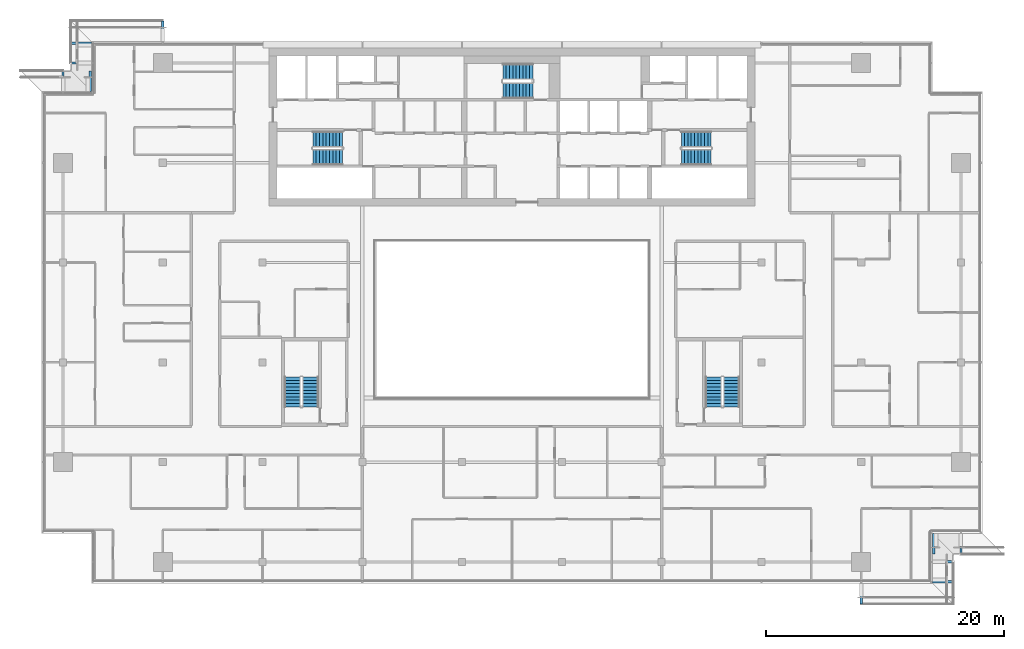
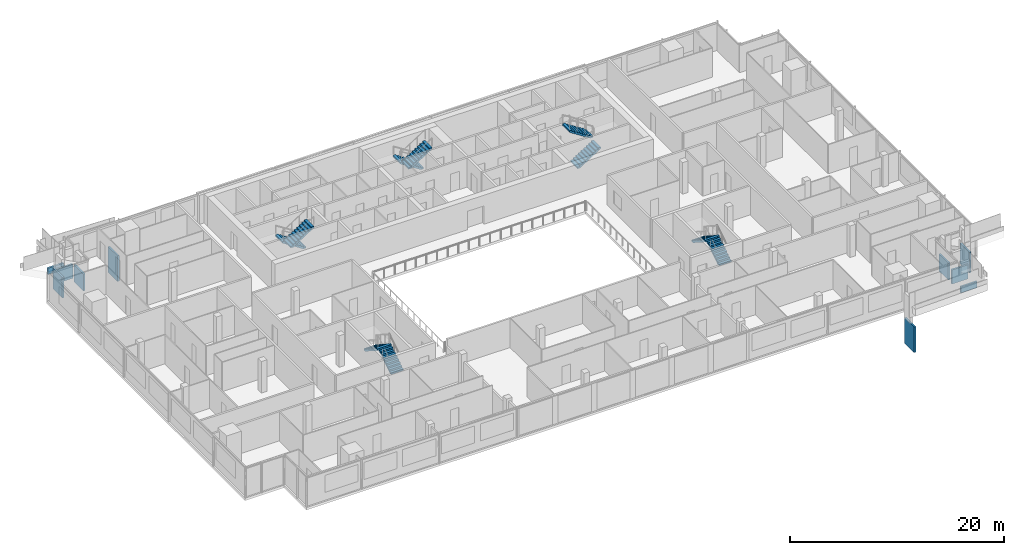
# One storey, part 25 of 30: 10 discrete accessories, 10 stair flights, 5 elements without a shape of their own.
"""IFC4 building model written with IfcOpenShell, lengths in metres."""

from ifc_helpers import new_model, si_unit, direction, frame, origin, origin_2d, place, context, subcontext, project, spatial, polyline, rectangle, outline, extrude, material, type_object, element, aggregate, save


model = new_model("IFC4")

# Units and contexts
model_context = context("Model", 3, precision=1e-05, world=origin(), true_north=direction((0.0, 1.0)))
body_context = subcontext(model_context, "Body", "Model", "MODEL_VIEW")
ifc_project = project(units=[si_unit("LENGTHUNIT", "METRE"), si_unit("AREAUNIT", "SQUARE_METRE"), si_unit("VOLUMEUNIT", "CUBIC_METRE"), si_unit("PLANEANGLEUNIT", "RADIAN"), si_unit("MASSUNIT", "GRAM", prefix="KILO")], contexts=[model_context])

# Site, building, storey
site_placement = place(None, origin())
site = spatial("IfcSite", under=ifc_project, at=site_placement, CompositionType="ELEMENT")
building_placement = place(site_placement, origin())
building = spatial("IfcBuilding", under=site, at=building_placement, Name="Saffron Gate Tower", CompositionType="ELEMENT")
storey_placement = place(building_placement, frame((0.0, 0.0, 237.89990234375)))
storey = spatial("IfcBuildingStorey", under=building, at=storey_placement, Name="L58", CompositionType="ELEMENT", Elevation=237.89990234375)

# Stair, stair flights
ifc_material = material(Name="Concrete C40", Category="concrete")
stair_type = type_object("IfcStairType", Name="ST7 Stair 1350 wide, 20 risers of 180", PredefinedType="HALF_TURN_STAIR", material=ifc_material)
stair_1_placement = place(storey_placement, origin())
stair_1 = element("IfcStair", 1, at=stair_1_placement, inside=storey, type_object=stair_type, Name="L58 Exit stair A", PredefinedType="HALF_TURN_STAIR")
stair_flight_type = type_object("IfcStairFlightType", Name="SF3 Stair flight 1350 wide, riser 180 going 280", PredefinedType="STRAIGHT", material=ifc_material)
stair_flight_1_placement = place(storey_placement, frame((73.35009765625, 67.375, 0.0), z_axis=(0.0, 0.0, 1.0), x_axis=(-1.0, 0.0, 0.0)))
stair_flight_1 = element("IfcStairFlight", 2, at=stair_flight_1_placement, type_object=stair_flight_type, Name="ST-A flight 1", NumberOfRisers=10, NumberOfTreads=9, PredefinedType="STRAIGHT", RiserHeight=0.18, TreadLength=0.28, context=body_context, shape_type="SweptSolid", body=[
    extrude(outline(polyline([(0.0, 0.0), (0.0, 0.179931640625), (0.280029296875, 0.179931640625), (0.280029296875, 0.360107421875), (0.56005859375, 0.360107421875), (0.56005859375, 0.5400390625), (0.840087890625, 0.5400390625), (0.840087890625, 0.719970703125), (1.1201171875, 0.719970703125), (1.1201171875, 0.89990234375), (1.39990234375, 0.89990234375), (1.39990234375, 1.080078125), (1.679931640625, 1.080078125), (1.679931640625, 1.260009765625), (1.9599609375, 1.260009765625), (1.9599609375, 1.43994140625), (2.239990234375, 1.43994140625), (2.239990234375, 1.6201171875), (2.52001953125, 1.6201171875), (2.52001953125, 1.800048828125), (2.52001953125, 1.44189453125), (0.277099609375, 0.0), (0.0, 0.0)])), frame((0.0, 0.675048828125, 0.0), z_axis=(0.0, -1.0, 0.0), x_axis=(1.0, 0.0, 0.0)), (0.0, 0.0, 1.0), 1.35009765625),
])
stair_flight_2_placement = place(storey_placement, frame((70.830078125, 65.875, 1.800048828125), z_axis=(0.0, 0.0, 1.0), x_axis=(1.0, 0.0, 0.0)))
stair_flight_2 = element("IfcStairFlight", 3, at=stair_flight_2_placement, type_object=stair_flight_type, Name="ST-A flight 2", NumberOfRisers=10, NumberOfTreads=9, PredefinedType="STRAIGHT", RiserHeight=0.18, TreadLength=0.28, context=body_context, shape_type="SweptSolid", body=[
    extrude(outline(polyline([(0.0, 0.0), (0.0, 0.179931640625), (0.280029296875, 0.179931640625), (0.280029296875, 0.360107421875), (0.56005859375, 0.360107421875), (0.56005859375, 0.5400390625), (0.840087890625, 0.5400390625), (0.840087890625, 0.719970703125), (1.1201171875, 0.719970703125), (1.1201171875, 0.89990234375), (1.39990234375, 0.89990234375), (1.39990234375, 1.080078125), (1.679931640625, 1.080078125), (1.679931640625, 1.260009765625), (1.9599609375, 1.260009765625), (1.9599609375, 1.43994140625), (2.239990234375, 1.43994140625), (2.239990234375, 1.6201171875), (2.52001953125, 1.6201171875), (2.52001953125, 1.800048828125), (2.52001953125, 1.44189453125), (0.277099609375, 0.0), (0.0, 0.0)])), frame((0.0, 0.675048828125, 0.0), z_axis=(0.0, -1.0, 0.0), x_axis=(1.0, 0.0, 0.0)), (0.0, 0.0, 1.0), 1.35009765625),
])
aggregate(stair_1, [stair_flight_1, stair_flight_2])

stair_2_placement = place(storey_placement, origin())
stair_2 = element("IfcStair", 4, at=stair_2_placement, inside=storey, type_object=stair_type, Name="L58 Exit stair B", PredefinedType="HALF_TURN_STAIR")
stair_flight_3_placement = place(storey_placement, frame((101.85009765625, 65.875, 0.0), z_axis=(0.0, 0.0, 1.0), x_axis=(1.0, 0.0, 0.0)))
stair_flight_3 = element("IfcStairFlight", 5, at=stair_flight_3_placement, type_object=stair_flight_type, Name="ST-B flight 1", NumberOfRisers=10, NumberOfTreads=9, PredefinedType="STRAIGHT", RiserHeight=0.18, TreadLength=0.28, context=body_context, shape_type="SweptSolid", body=[
    extrude(outline(polyline([(0.0, 0.0), (0.0, 0.179931640625), (0.280029296875, 0.179931640625), (0.280029296875, 0.360107421875), (0.56005859375, 0.360107421875), (0.56005859375, 0.5400390625), (0.840087890625, 0.5400390625), (0.840087890625, 0.719970703125), (1.1201171875, 0.719970703125), (1.1201171875, 0.89990234375), (1.39990234375, 0.89990234375), (1.39990234375, 1.080078125), (1.679931640625, 1.080078125), (1.679931640625, 1.260009765625), (1.9599609375, 1.260009765625), (1.9599609375, 1.43994140625), (2.239990234375, 1.43994140625), (2.239990234375, 1.6201171875), (2.52001953125, 1.6201171875), (2.52001953125, 1.800048828125), (2.52001953125, 1.44189453125), (0.277099609375, 0.0), (0.0, 0.0)])), frame((0.0, 0.675048828125, 0.0), z_axis=(0.0, -1.0, 0.0), x_axis=(1.0, 0.0, 0.0)), (0.0, 0.0, 1.0), 1.35009765625),
])
stair_flight_4_placement = place(storey_placement, frame((104.3701171875, 67.375, 1.800048828125), z_axis=(0.0, 0.0, 1.0), x_axis=(-1.0, 0.0, 0.0)))
stair_flight_4 = element("IfcStairFlight", 6, at=stair_flight_4_placement, type_object=stair_flight_type, Name="ST-B flight 2", NumberOfRisers=10, NumberOfTreads=9, PredefinedType="STRAIGHT", RiserHeight=0.18, TreadLength=0.28, context=body_context, shape_type="SweptSolid", body=[
    extrude(outline(polyline([(0.0, 0.0), (0.0, 0.179931640625), (0.280029296875, 0.179931640625), (0.280029296875, 0.360107421875), (0.56005859375, 0.360107421875), (0.56005859375, 0.5400390625), (0.840087890625, 0.5400390625), (0.840087890625, 0.719970703125), (1.1201171875, 0.719970703125), (1.1201171875, 0.89990234375), (1.39990234375, 0.89990234375), (1.39990234375, 1.080078125), (1.679931640625, 1.080078125), (1.679931640625, 1.260009765625), (1.9599609375, 1.260009765625), (1.9599609375, 1.43994140625), (2.239990234375, 1.43994140625), (2.239990234375, 1.6201171875), (2.52001953125, 1.6201171875), (2.52001953125, 1.800048828125), (2.52001953125, 1.44189453125), (0.277099609375, 0.0), (0.0, 0.0)])), frame((0.0, 0.675048828125, 0.0), z_axis=(0.0, -1.0, 0.0), x_axis=(1.0, 0.0, 0.0)), (0.0, 0.0, 1.0), 1.35009765625),
])
aggregate(stair_2, [stair_flight_3, stair_flight_4])

stair_3_placement = place(storey_placement, origin())
stair_3 = element("IfcStair", 7, at=stair_3_placement, inside=storey, type_object=stair_type, Name="L58 Exit stair C", PredefinedType="HALF_TURN_STAIR")
stair_flight_5_placement = place(storey_placement, frame((89.35009765625, 73.074951171875, 0.0), z_axis=(0.0, 0.0, 1.0), x_axis=(-1.0, 0.0, 0.0)))
stair_flight_5 = element("IfcStairFlight", 8, at=stair_flight_5_placement, type_object=stair_flight_type, Name="ST-C flight 1", NumberOfRisers=10, NumberOfTreads=9, PredefinedType="STRAIGHT", RiserHeight=0.18, TreadLength=0.28, context=body_context, shape_type="SweptSolid", body=[
    extrude(outline(polyline([(0.0, 0.0), (0.0, 0.179931640625), (0.280029296875, 0.179931640625), (0.280029296875, 0.360107421875), (0.56005859375, 0.360107421875), (0.56005859375, 0.5400390625), (0.840087890625, 0.5400390625), (0.840087890625, 0.719970703125), (1.1201171875, 0.719970703125), (1.1201171875, 0.89990234375), (1.39990234375, 0.89990234375), (1.39990234375, 1.080078125), (1.679931640625, 1.080078125), (1.679931640625, 1.260009765625), (1.9599609375, 1.260009765625), (1.9599609375, 1.43994140625), (2.239990234375, 1.43994140625), (2.239990234375, 1.6201171875), (2.52001953125, 1.6201171875), (2.52001953125, 1.800048828125), (2.52001953125, 1.44189453125), (0.277099609375, 0.0), (0.0, 0.0)])), frame((0.0, 0.675048828125, 0.0), z_axis=(0.0, -1.0, 0.0), x_axis=(1.0, 0.0, 0.0)), (0.0, 0.0, 1.0), 1.35009765625),
])
stair_flight_6_placement = place(storey_placement, frame((86.830078125, 71.47509765625, 1.800048828125), z_axis=(0.0, 0.0, 1.0), x_axis=(1.0, 0.0, 0.0)))
stair_flight_6 = element("IfcStairFlight", 9, at=stair_flight_6_placement, type_object=stair_flight_type, Name="ST-C flight 2", NumberOfRisers=10, NumberOfTreads=9, PredefinedType="STRAIGHT", RiserHeight=0.18, TreadLength=0.28, context=body_context, shape_type="SweptSolid", body=[
    extrude(outline(polyline([(0.0, 0.0), (0.0, 0.179931640625), (0.280029296875, 0.179931640625), (0.280029296875, 0.360107421875), (0.56005859375, 0.360107421875), (0.56005859375, 0.5400390625), (0.840087890625, 0.5400390625), (0.840087890625, 0.719970703125), (1.1201171875, 0.719970703125), (1.1201171875, 0.89990234375), (1.39990234375, 0.89990234375), (1.39990234375, 1.080078125), (1.679931640625, 1.080078125), (1.679931640625, 1.260009765625), (1.9599609375, 1.260009765625), (1.9599609375, 1.43994140625), (2.239990234375, 1.43994140625), (2.239990234375, 1.6201171875), (2.52001953125, 1.6201171875), (2.52001953125, 1.800048828125), (2.52001953125, 1.44189453125), (0.277099609375, 0.0), (0.0, 0.0)])), frame((0.0, 0.675048828125, 0.0), z_axis=(0.0, -1.0, 0.0), x_axis=(1.0, 0.0, 0.0)), (0.0, 0.0, 1.0), 1.35009765625),
])
aggregate(stair_3, [stair_flight_5, stair_flight_6])

stair_4_placement = place(storey_placement, origin())
stair_4 = element("IfcStair", 10, at=stair_4_placement, inside=storey, type_object=stair_type, Name="L58 Exit stair D", PredefinedType="HALF_TURN_STAIR")
stair_flight_7_placement = place(storey_placement, frame((70.625, 44.85009765625, 0.0), z_axis=(0.0, 0.0, 1.0), x_axis=(0.0, 1.0, 0.0)))
stair_flight_7 = element("IfcStairFlight", 11, at=stair_flight_7_placement, type_object=stair_flight_type, Name="ST-D flight 1", NumberOfRisers=10, NumberOfTreads=9, PredefinedType="STRAIGHT", RiserHeight=0.18, TreadLength=0.28, context=body_context, shape_type="SweptSolid", body=[
    extrude(outline(polyline([(0.0, 0.0), (0.0, 0.179931640625), (0.280029296875, 0.179931640625), (0.280029296875, 0.360107421875), (0.56005859375, 0.360107421875), (0.56005859375, 0.5400390625), (0.840087890625, 0.5400390625), (0.840087890625, 0.719970703125), (1.1201171875, 0.719970703125), (1.1201171875, 0.89990234375), (1.39990234375, 0.89990234375), (1.39990234375, 1.080078125), (1.679931640625, 1.080078125), (1.679931640625, 1.260009765625), (1.9599609375, 1.260009765625), (1.9599609375, 1.43994140625), (2.239990234375, 1.43994140625), (2.239990234375, 1.6201171875), (2.52001953125, 1.6201171875), (2.52001953125, 1.800048828125), (2.52001953125, 1.44189453125), (0.277099609375, 0.0), (0.0, 0.0)])), frame((0.0, 0.675048828125, 0.0), z_axis=(0.0, -1.0, 0.0), x_axis=(1.0, 0.0, 0.0)), (0.0, 0.0, 1.0), 1.35009765625),
])
stair_flight_8_placement = place(storey_placement, frame((69.125, 47.3701171875, 1.800048828125), z_axis=(0.0, 0.0, 1.0), x_axis=(0.0, -1.0, 0.0)))
stair_flight_8 = element("IfcStairFlight", 12, at=stair_flight_8_placement, type_object=stair_flight_type, Name="ST-D flight 2", NumberOfRisers=10, NumberOfTreads=9, PredefinedType="STRAIGHT", RiserHeight=0.18, TreadLength=0.28, context=body_context, shape_type="SweptSolid", body=[
    extrude(outline(polyline([(0.0, 0.0), (0.0, 0.179931640625), (0.280029296875, 0.179931640625), (0.280029296875, 0.360107421875), (0.56005859375, 0.360107421875), (0.56005859375, 0.5400390625), (0.840087890625, 0.5400390625), (0.840087890625, 0.719970703125), (1.1201171875, 0.719970703125), (1.1201171875, 0.89990234375), (1.39990234375, 0.89990234375), (1.39990234375, 1.080078125), (1.679931640625, 1.080078125), (1.679931640625, 1.260009765625), (1.9599609375, 1.260009765625), (1.9599609375, 1.43994140625), (2.239990234375, 1.43994140625), (2.239990234375, 1.6201171875), (2.52001953125, 1.6201171875), (2.52001953125, 1.800048828125), (2.52001953125, 1.44189453125), (0.277099609375, 0.0), (0.0, 0.0)])), frame((0.0, 0.675048828125, 0.0), z_axis=(0.0, -1.0, 0.0), x_axis=(1.0, 0.0, 0.0)), (0.0, 0.0, 1.0), 1.35009765625),
])
aggregate(stair_4, [stair_flight_7, stair_flight_8])

stair_5_placement = place(storey_placement, origin())
stair_5 = element("IfcStair", 13, at=stair_5_placement, inside=storey, type_object=stair_type, Name="L58 Exit stair E", PredefinedType="HALF_TURN_STAIR")
stair_flight_9_placement = place(storey_placement, frame((106.074951171875, 44.85009765625, 0.0), z_axis=(0.0, 0.0, 1.0), x_axis=(0.0, 1.0, 0.0)))
stair_flight_9 = element("IfcStairFlight", 14, at=stair_flight_9_placement, type_object=stair_flight_type, Name="ST-E flight 1", NumberOfRisers=10, NumberOfTreads=9, PredefinedType="STRAIGHT", RiserHeight=0.18, TreadLength=0.28, context=body_context, shape_type="SweptSolid", body=[
    extrude(outline(polyline([(0.0, 0.0), (0.0, 0.179931640625), (0.280029296875, 0.179931640625), (0.280029296875, 0.360107421875), (0.56005859375, 0.360107421875), (0.56005859375, 0.5400390625), (0.840087890625, 0.5400390625), (0.840087890625, 0.719970703125), (1.1201171875, 0.719970703125), (1.1201171875, 0.89990234375), (1.39990234375, 0.89990234375), (1.39990234375, 1.080078125), (1.679931640625, 1.080078125), (1.679931640625, 1.260009765625), (1.9599609375, 1.260009765625), (1.9599609375, 1.43994140625), (2.239990234375, 1.43994140625), (2.239990234375, 1.6201171875), (2.52001953125, 1.6201171875), (2.52001953125, 1.800048828125), (2.52001953125, 1.44189453125), (0.277099609375, 0.0), (0.0, 0.0)])), frame((0.0, 0.675048828125, 0.0), z_axis=(0.0, -1.0, 0.0), x_axis=(1.0, 0.0, 0.0)), (0.0, 0.0, 1.0), 1.35009765625),
])
stair_flight_10_placement = place(storey_placement, frame((104.574951171875, 47.3701171875, 1.800048828125), z_axis=(0.0, 0.0, 1.0), x_axis=(0.0, -1.0, 0.0)))
stair_flight_10 = element("IfcStairFlight", 15, at=stair_flight_10_placement, type_object=stair_flight_type, Name="ST-E flight 2", NumberOfRisers=10, NumberOfTreads=9, PredefinedType="STRAIGHT", RiserHeight=0.18, TreadLength=0.28, context=body_context, shape_type="SweptSolid", body=[
    extrude(outline(polyline([(0.0, 0.0), (0.0, 0.179931640625), (0.280029296875, 0.179931640625), (0.280029296875, 0.360107421875), (0.56005859375, 0.360107421875), (0.56005859375, 0.5400390625), (0.840087890625, 0.5400390625), (0.840087890625, 0.719970703125), (1.1201171875, 0.719970703125), (1.1201171875, 0.89990234375), (1.39990234375, 0.89990234375), (1.39990234375, 1.080078125), (1.679931640625, 1.080078125), (1.679931640625, 1.260009765625), (1.9599609375, 1.260009765625), (1.9599609375, 1.43994140625), (2.239990234375, 1.43994140625), (2.239990234375, 1.6201171875), (2.52001953125, 1.6201171875), (2.52001953125, 1.800048828125), (2.52001953125, 1.44189453125), (0.277099609375, 0.0), (0.0, 0.0)])), frame((0.0, 0.675048828125, 0.0), z_axis=(0.0, -1.0, 0.0), x_axis=(1.0, 0.0, 0.0)), (0.0, 0.0, 1.0), 1.35009765625),
])
aggregate(stair_5, [stair_flight_9, stair_flight_10])

# Discrete accessories
discrete_accessory_1_placement = place(storey_placement, frame((58.199951171875, 76.47509765625, -3.8798828125), z_axis=(0.0, 0.0, 1.0), x_axis=(-1.0, 0.0, 0.0)))
element("IfcDiscreteAccessory", 16, at=discrete_accessory_1_placement, inside=storey, Name="LEDGE rib", PredefinedType="BRACKET", context=body_context, shape_type="SweptSolid", body=[
    extrude(rectangle(XDim=0.199951171875, YDim=1.75, at=origin_2d()), origin(), (0.0, 0.0, 1.0), 2.935302734375),
])
discrete_accessory_2_placement = place(storey_placement, frame((51.324951171875, 75.47998046875, -0.280029296875), z_axis=(0.0, 0.0, 1.0), x_axis=(0.0, -1.0, 0.0)))
element("IfcDiscreteAccessory", 17, at=discrete_accessory_2_placement, inside=storey, Name="LEDGE rib", PredefinedType="BRACKET", context=body_context, shape_type="SweptSolid", body=[
    extrude(rectangle(XDim=0.199951171875, YDim=1.75, at=origin_2d()), origin(), (0.0, 0.0, 1.0), 0.70849609375),
])
discrete_accessory_3_placement = place(storey_placement, frame((51.324951171875, 73.800048828125, -0.27978515625), z_axis=(0.0, 0.0, 1.0), x_axis=(0.0, -1.0, 0.0)))
element("IfcDiscreteAccessory", 18, at=discrete_accessory_3_placement, inside=storey, Name="LEDGE rib", PredefinedType="BRACKET", context=body_context, shape_type="SweptSolid", body=[
    extrude(rectangle(XDim=0.199951171875, YDim=1.75, at=origin_2d()), origin(), (0.0, 0.0, 1.0), 1.61767578125),
])
discrete_accessory_4_placement = place(storey_placement, frame((52.080078125, 72.27490234375, -0.27978515625), z_axis=(0.0, 0.0, 1.0), x_axis=(-1.0, 0.0, 0.0)))
element("IfcDiscreteAccessory", 19, at=discrete_accessory_4_placement, inside=storey, Name="LEDGE rib", PredefinedType="BRACKET", context=body_context, shape_type="SweptSolid", body=[
    extrude(rectangle(XDim=0.199951171875, YDim=1.75, at=origin_2d()), origin(), (0.0, 0.0, 1.0), 1.944091796875),
])
discrete_accessory_5_placement = place(storey_placement, frame((49.800048828125, 72.27490234375, -0.27978515625), z_axis=(0.0, 0.0, 1.0), x_axis=(-1.0, 0.0, 0.0)))
element("IfcDiscreteAccessory", 20, at=discrete_accessory_5_placement, inside=storey, Name="LEDGE rib", PredefinedType="BRACKET", context=body_context, shape_type="SweptSolid", body=[
    extrude(rectangle(XDim=0.199951171875, YDim=1.75, at=origin_2d()), origin(), (0.0, 0.0, 1.0), 2.356201171875),
])
discrete_accessory_6_placement = place(storey_placement, frame((117.0, 29.125, -3.8798828125), z_axis=(0.0, 0.0, 1.0), x_axis=(1.0, 0.0, 0.0)))
element("IfcDiscreteAccessory", 21, at=discrete_accessory_6_placement, inside=storey, Name="LEDGE rib", PredefinedType="BRACKET", context=body_context, shape_type="SweptSolid", body=[
    extrude(rectangle(XDim=0.199951171875, YDim=1.75, at=origin_2d()), origin(), (0.0, 0.0, 1.0), 2.935302734375),
])
discrete_accessory_7_placement = place(storey_placement, frame((123.875, 30.1201171875, -0.280029296875), z_axis=(0.0, 0.0, 1.0), x_axis=(0.0, 1.0, 0.0)))
element("IfcDiscreteAccessory", 22, at=discrete_accessory_7_placement, inside=storey, Name="LEDGE rib", PredefinedType="BRACKET", context=body_context, shape_type="SweptSolid", body=[
    extrude(rectangle(XDim=0.199951171875, YDim=1.75, at=origin_2d()), origin(), (0.0, 0.0, 1.0), 0.70849609375),
])
discrete_accessory_8_placement = place(storey_placement, frame((123.875, 31.800048828125, -0.27978515625), z_axis=(0.0, 0.0, 1.0), x_axis=(0.0, 1.0, 0.0)))
element("IfcDiscreteAccessory", 23, at=discrete_accessory_8_placement, inside=storey, Name="LEDGE rib", PredefinedType="BRACKET", context=body_context, shape_type="SweptSolid", body=[
    extrude(rectangle(XDim=0.199951171875, YDim=1.75, at=origin_2d()), origin(), (0.0, 0.0, 1.0), 1.61767578125),
])
discrete_accessory_9_placement = place(storey_placement, frame((123.1201171875, 33.324951171875, -0.27978515625), z_axis=(0.0, 0.0, 1.0), x_axis=(1.0, 0.0, 0.0)))
element("IfcDiscreteAccessory", 24, at=discrete_accessory_9_placement, inside=storey, Name="LEDGE rib", PredefinedType="BRACKET", context=body_context, shape_type="SweptSolid", body=[
    extrude(rectangle(XDim=0.199951171875, YDim=1.75, at=origin_2d()), origin(), (0.0, 0.0, 1.0), 1.944091796875),
])
discrete_accessory_10_placement = place(storey_placement, frame((125.39990234375, 33.324951171875, -0.27978515625), z_axis=(0.0, 0.0, 1.0), x_axis=(1.0, 0.0, 0.0)))
element("IfcDiscreteAccessory", 25, at=discrete_accessory_10_placement, inside=storey, Name="LEDGE rib", PredefinedType="BRACKET", context=body_context, shape_type="SweptSolid", body=[
    extrude(rectangle(XDim=0.199951171875, YDim=1.75, at=origin_2d()), origin(), (0.0, 0.0, 1.0), 2.356201171875),
])

save(model, "model.ifc")
